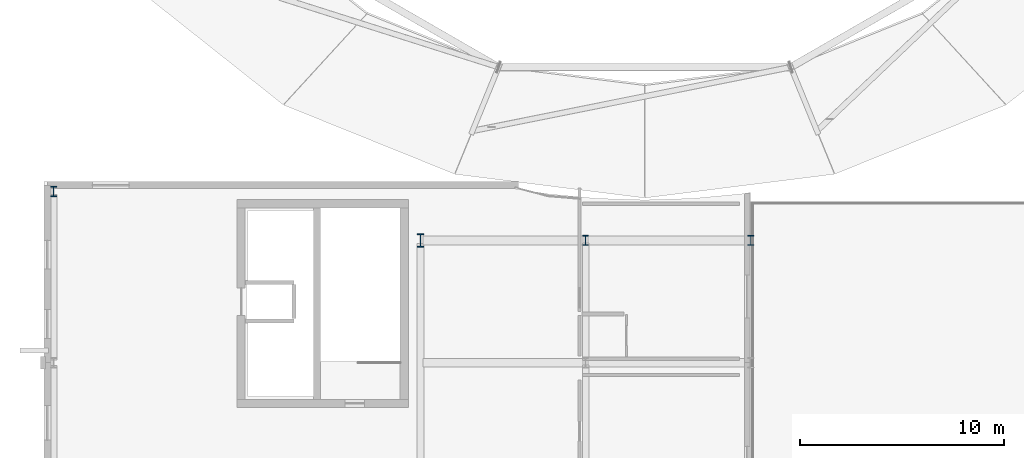
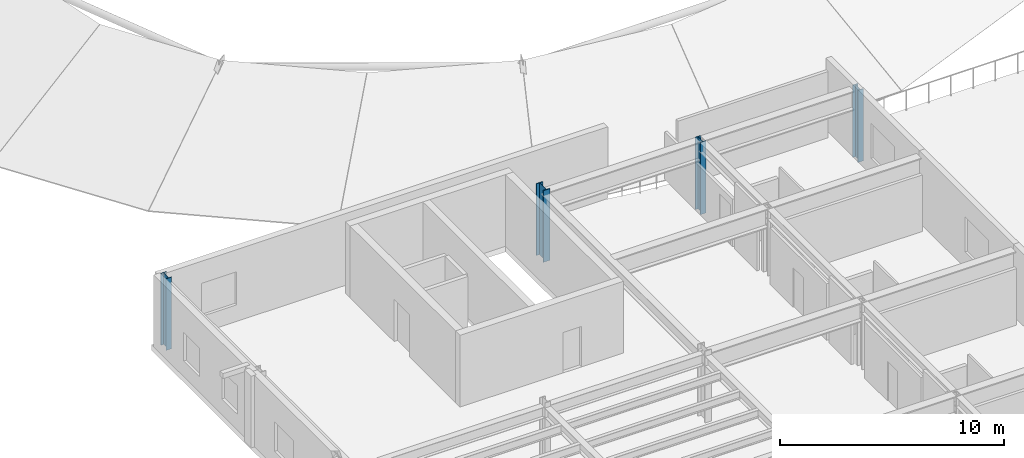
# One storey, part 5 of 59: 4 columns.
"""IFC4 building model written with IfcOpenShell, lengths in metres."""

from ifc_helpers import new_model, si_unit, direction, frame, origin, origin_2d, place, context, subcontext, project, spatial, i_section, extrude, material, material_profile, profile_set, type_object, element, save


model = new_model("IFC4")

# Units and contexts
model_context = context("Model", 3, precision=1e-05, world=origin(), true_north=direction((0.0, 1.0)))
body_context = subcontext(model_context, "Body", "Model", "MODEL_VIEW")
ifc_project = project(units=[si_unit("LENGTHUNIT", "METRE"), si_unit("AREAUNIT", "SQUARE_METRE"), si_unit("VOLUMEUNIT", "CUBIC_METRE"), si_unit("PLANEANGLEUNIT", "RADIAN"), si_unit("MASSUNIT", "GRAM", prefix="KILO")], contexts=[model_context])

# Site, building, storey
site_placement = place(None, origin())
site = spatial("IfcSite", under=ifc_project, at=site_placement, CompositionType="ELEMENT")
building_placement = place(site_placement, origin())
building = spatial("IfcBuilding", under=site, at=building_placement, Name="Sollismere Congress Hotel", CompositionType="ELEMENT")
storey_placement = place(building_placement, frame((0.0, 0.0, 15.60009765625)))
storey = spatial("IfcBuildingStorey", under=building, at=storey_placement, Name="L03", CompositionType="ELEMENT", Elevation=15.60009765625)

# Columns
ifc_material = material(Name="Steel ASTM A992 Grade 50", Category="steel")
ifc_material_profile_1 = material_profile(ifc_material, i_section(OverallWidth=0.283935546875, OverallDepth=0.4951171875, WebThickness=0.0185546875, FlangeThickness=0.033447265625, at=origin_2d()), Name="W18X143")
ifc_profile_set_1 = profile_set([ifc_material_profile_1], Name="Steel ASTM A992 Grade 50")
column_type_1 = type_object("IfcColumnType", Name="COL-W18", PredefinedType="COLUMN", material=ifc_profile_set_1)
column_1_placement = place(storey_placement, frame((0.0, 66.800048828125, 0.0), z_axis=(0.0, 0.0, 1.0), x_axis=(1.0, 0.0, 0.0)))
element("IfcColumn", 1, at=column_1_placement, inside=storey, type_object=column_type_1, Name="Column CL-L03-033", PredefinedType="COLUMN", context=body_context, shape_type="SweptSolid", body=[
    extrude(i_section(OverallWidth=0.283935546875, OverallDepth=0.4951171875, WebThickness=0.0185546875, FlangeThickness=0.033447265625, at=origin_2d()), origin(), (0.0, 0.0, 1.0), 3.89990234375),
])
for number, where, z_axis, x_axis, name in (
    (2, (26.10009765625, 64.39990234375, -0.300048828125), (0.0, 0.0, 1.0), (1.0, 0.0, 0.0), "COL-V3P-62"),
    (3, (34.199951171875, 64.39990234375, -0.300048828125), (0.0, 0.0, 1.0), (1.0, 0.0, 0.0), "COL-V3P-64"),
):
    element("IfcColumn", number, at=place(storey_placement, frame(where, z_axis=z_axis, x_axis=x_axis)), inside=storey, type_object=column_type_1, Name=name, PredefinedType="COLUMN", context=body_context, shape_type="SweptSolid", body=[
        extrude(i_section(OverallWidth=0.283935546875, OverallDepth=0.4951171875, WebThickness=0.0185546875, FlangeThickness=0.033447265625, at=origin_2d()), origin(), (0.0, 0.0, 1.0), 3.925048828125),
    ])
ifc_material_profile_2 = material_profile(ifc_material, i_section(OverallWidth=0.3330078125, OverallDepth=0.659912109375, WebThickness=0.0244140625, FlangeThickness=0.0439453125, at=origin_2d()), Name="W24X229")
ifc_profile_set_2 = profile_set([ifc_material_profile_2], Name="Steel ASTM A992 Grade 50")
column_type_2 = type_object("IfcColumnType", Name="COL-W24", PredefinedType="COLUMN", material=ifc_profile_set_2)
column_2_placement = place(storey_placement, frame((18.0, 64.39990234375, 0.0), z_axis=(0.0, 0.0, 1.0), x_axis=(1.0, 0.0, 0.0)))
element("IfcColumn", 4, at=column_2_placement, inside=storey, type_object=column_type_2, Name="Column CL-L03-1142", PredefinedType="COLUMN", context=body_context, shape_type="SweptSolid", body=[
    extrude(i_section(OverallWidth=0.3330078125, OverallDepth=0.659912109375, WebThickness=0.0244140625, FlangeThickness=0.0439453125, at=origin_2d()), origin(), (0.0, 0.0, 1.0), 3.89990234375),
])

save(model, "model.ifc")
